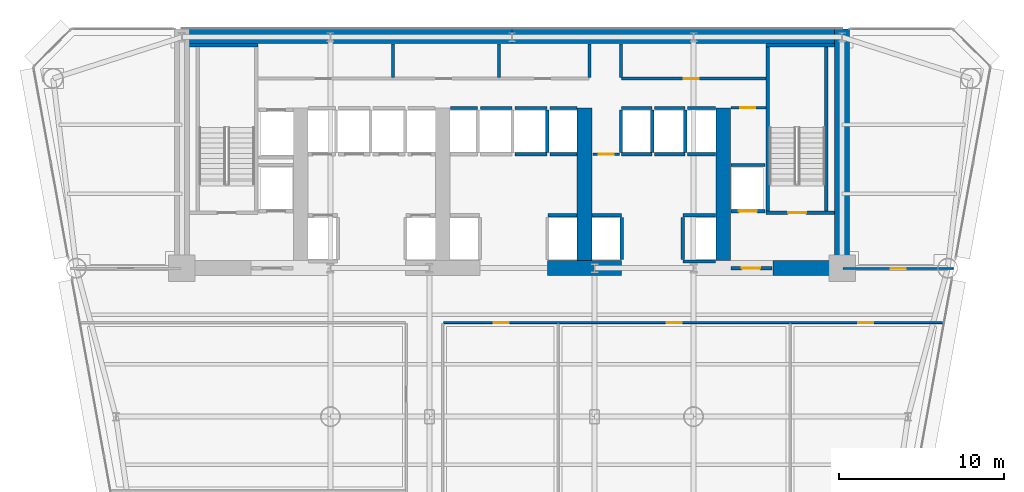
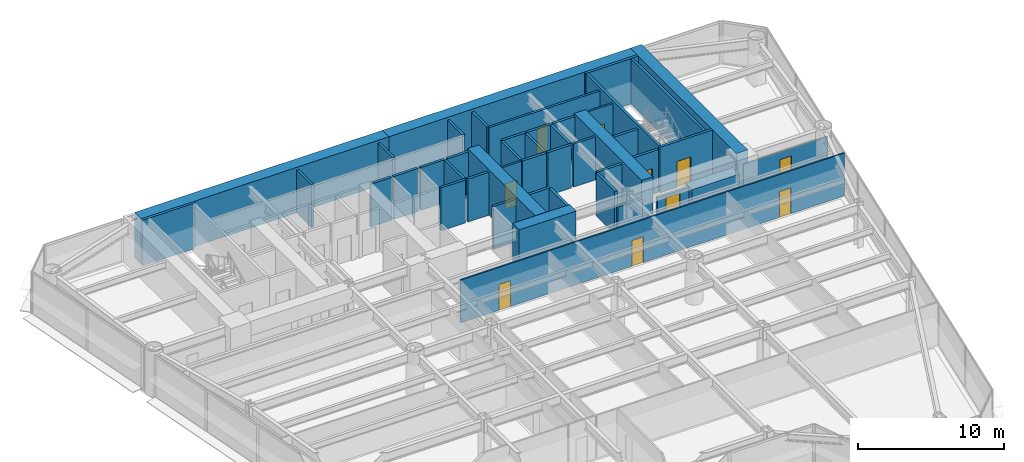
# One storey, part 9 of 14: 46 walls, 10 doors, 10 openings.
"""IFC4 building model written with IfcOpenShell, lengths in metres."""

from ifc_helpers import new_model, si_unit, direction, frame, frame_2d, origin, place, context, subcontext, project, spatial, rectangle, extrude, source, transform, mapped, material, layer, layer_set, type_object, element, fill, save


model = new_model("IFC4")

# Units and contexts
model_context = context("Model", 3, precision=1e-05, world=origin(), true_north=direction((0.0, 1.0)))
body_context = subcontext(model_context, "Body", "Model", "MODEL_VIEW")
ifc_project = project(units=[si_unit("LENGTHUNIT", "METRE"), si_unit("AREAUNIT", "SQUARE_METRE"), si_unit("VOLUMEUNIT", "CUBIC_METRE"), si_unit("PLANEANGLEUNIT", "RADIAN"), si_unit("MASSUNIT", "GRAM", prefix="KILO")], contexts=[model_context])

# Site, building, storey
site_placement = place(None, origin())
site = spatial("IfcSite", under=ifc_project, at=site_placement, CompositionType="ELEMENT")
building_placement = place(site_placement, origin())
building = spatial("IfcBuilding", under=site, at=building_placement, Name="Vaeldorn Concourse Tower", CompositionType="ELEMENT")
storey_placement = place(building_placement, frame((0.0, 0.0, 41.60009765625)))
storey = spatial("IfcBuildingStorey", under=building, at=storey_placement, Name="L10", CompositionType="ELEMENT", Elevation=41.60009765625)

# Walls
ifc_material_1 = material(Name="Concrete C60/75", Category="concrete")
ifc_layer_1 = layer(ifc_material_1, 0.89990234375)
ifc_layer_set_1 = layer_set([ifc_layer_1], Name="Concrete C60/75")
wall_type_1 = type_object("IfcWallType", Name="WL-CORE-900", PredefinedType="SHEAR", material=ifc_layer_set_1)
for number, where, z_axis, x_axis, name in (
    (1, (14.4541015625, 50.550048828125, 0.0), (0.0, 0.0, 1.0), (1.0, 0.0, 0.0), "Rear Core Shear Wall L10 N1"),
    (2, (34.001953125, 50.550048828125, 0.0), (0.0, 0.0, 1.0), (1.0, 0.0, 0.0), "Rear Core Shear Wall L10 N2"),
):
    element("IfcWall", number, at=place(storey_placement, frame(where, z_axis=z_axis, x_axis=x_axis)), inside=storey, type_object=wall_type_1, Name=name, PredefinedType="SHEAR", context=body_context, shape_type="SweptSolid", body=[
        extrude(rectangle(XDim=19.5439453125, YDim=0.89990234375, at=frame_2d((9.77197265625, 0.0))), origin(), (0.0, 0.0, 1.0), 3.7998046875),
    ])
wall_1_placement = place(storey_placement, frame((54.0, 36.5, 0.0), z_axis=(0.0, 0.0, 1.0), x_axis=(0.0, 1.0, 0.0)))
element("IfcWall", 3, at=wall_1_placement, inside=storey, type_object=wall_type_1, Name="Rear Core Shear Wall L10 E1", PredefinedType="SHEAR", context=body_context, shape_type="SweptSolid", body=[
    extrude(rectangle(XDim=14.5, YDim=0.89990234375, at=frame_2d((7.25, 0.0))), origin(), (0.0, 0.0, 1.0), 3.7998046875),
])
wall_2_placement = place(storey_placement, frame((36.14990234375, 36.5, 0.0), z_axis=(0.0, 0.0, 1.0), x_axis=(1.0, 0.0, 0.0)))
element("IfcWall", 4, at=wall_2_placement, inside=storey, type_object=wall_type_1, Name="Rear Core Shear Wall L10 S3", PredefinedType="SHEAR", context=body_context, shape_type="SweptSolid", body=[
    extrude(rectangle(XDim=4.5, YDim=0.89990234375, at=frame_2d((2.25, 0.0))), origin(), (0.0, 0.0, 1.0), 3.7998046875),
])
wall_3_placement = place(storey_placement, frame((49.800048828125, 36.5, 0.0), z_axis=(0.0, 0.0, 1.0), x_axis=(1.0, 0.0, 0.0)))
element("IfcWall", 5, at=wall_3_placement, inside=storey, type_object=wall_type_1, Name="Rear Core Shear Wall L10 S4", PredefinedType="SHEAR", context=body_context, shape_type="SweptSolid", body=[
    extrude(rectangle(XDim=3.72998046875, YDim=0.89990234375, at=frame_2d((1.864990234375, 0.0))), origin(), (0.0, 0.0, 1.0), 2.3798828125),
])
for number, where, z_axis, x_axis, name in (
    (6, (38.39990234375, 36.969970703125, 0.0), (0.0, 0.0, 1.0), (0.0, 1.0, 0.0), "Rear Core Shear Wall L10 M3"),
    (7, (46.800048828125, 36.969970703125, 0.0), (0.0, 0.0, 1.0), (0.0, 1.0, 0.0), "Rear Core Shear Wall L10 M4"),
):
    element("IfcWall", number, at=place(storey_placement, frame(where, z_axis=z_axis, x_axis=x_axis)), inside=storey, type_object=wall_type_1, Name=name, PredefinedType="SHEAR", context=body_context, shape_type="SweptSolid", body=[
        extrude(rectangle(XDim=9.22998046875, YDim=0.89990234375, at=frame_2d((4.614990234375, 0.0))), origin(), (0.0, 0.0, 1.0), 3.7998046875),
    ])

# Wall, openings, doors
ifc_material_2 = material(Name="Gypsum Board Partition", Category="gypsum")
ifc_layer_2 = layer(ifc_material_2, 0.1201171875)
ifc_layer_set_2 = layer_set([ifc_layer_2], Name="Gypsum Board Partition")
wall_type_2 = type_object("IfcWallType", Name="WL-PART-120", PredefinedType="PARTITIONING", material=ifc_layer_set_2)
wall_4_placement = place(storey_placement, frame((29.860107421875, 33.199951171875, 0.0), z_axis=(0.0, 0.0, 1.0), x_axis=(1.0, 0.0, 0.0)))
wall_4 = element("IfcWall", 8, at=wall_4_placement, inside=storey, type_object=wall_type_2, Name="Interior Wall PW-L10-C2SE", PredefinedType="PARTITIONING", context=body_context, shape_type="SweptSolid", body=[
    extrude(rectangle(XDim=30.28076171875, YDim=0.1201171875, at=frame_2d((15.140380859375, 0.0))), origin(), (0.0, 0.0, 1.0), 3.579833984375),
])
opening_1_placement = place(wall_4_placement, frame((3.0400390625, 0.0, 0.0)))
opening_1 = element("IfcOpeningElement", 9, at=opening_1_placement, cuts=wall_4, Name="Opening D-03", PredefinedType="OPENING", context=body_context, shape_type="SweptSolid", body=[
    extrude(rectangle(XDim=0.89990234375, YDim=2.14990234375, at=frame_2d((0.449951171875, 1.074951171875))), frame((0.0, 0.070068359375, 0.0), z_axis=(0.0, -1.0, 0.0), x_axis=(1.0, 0.0, 0.0)), (0.0, 0.0, 1.0), 0.14013671875),
])
opening_2_placement = place(wall_4_placement, frame((13.514892578125, 0.0, 0.0)))
opening_2 = element("IfcOpeningElement", 10, at=opening_2_placement, cuts=wall_4, Name="Opening D-03", PredefinedType="OPENING", context=body_context, shape_type="SweptSolid", body=[
    extrude(rectangle(XDim=0.89990234375, YDim=2.14990234375, at=frame_2d((0.449951171875, 1.074951171875))), frame((0.0, 0.070068359375, 0.0), z_axis=(0.0, -1.0, 0.0), x_axis=(1.0, 0.0, 0.0)), (0.0, 0.0, 1.0), 0.14013671875),
])
opening_3_placement = place(wall_4_placement, frame((25.135009765625, 0.0, 0.0)))
opening_3 = element("IfcOpeningElement", 11, at=opening_3_placement, cuts=wall_4, Name="Opening D-03", PredefinedType="OPENING", context=body_context, shape_type="SweptSolid", body=[
    extrude(rectangle(XDim=0.89990234375, YDim=2.14990234375, at=frame_2d((0.449951171875, 1.074951171875))), frame((0.0, 0.070068359375, 0.0), z_axis=(0.0, -1.0, 0.0), x_axis=(1.0, 0.0, 0.0)), (0.0, 0.0, 1.0), 0.14013671875),
])
ifc_material_3 = material(Name="Acoustic Bronze-Framed Glass Door", Category="glass")
door_type_1 = type_object("IfcDoorType", Name="DR-INT-900", OperationType="NOTDEFINED", PredefinedType="DOOR", material=ifc_material_3)
shared_shape_1 = source(origin(), body_context, "Body", "SweptSolid", [
    extrude(rectangle(XDim=0.89990234375, YDim=2.14990234375, at=frame_2d((0.449951171875, 1.074951171875))), frame((0.0, 0.02490234375, 0.0), z_axis=(0.0, -1.0, 0.0), x_axis=(1.0, 0.0, 0.0)), (0.0, 0.0, 1.0), 0.050048828125),
])
door_1_placement = place(opening_1_placement, origin())
door_1 = element("IfcDoor", 12, at=door_1_placement, inside=storey, type_object=door_type_1, Name="Interior Door DR-L10-Z2E1", OperationType="SINGLE_SWING_RIGHT", OverallHeight=2.14990234375, OverallWidth=0.89990234375, PredefinedType="DOOR", context=body_context, shape_type="MappedRepresentation", body=[
    mapped(shared_shape_1, transform((0.0, 0.0, 0.0), scale=1.0)),
])
fill(opening_1, door_1)
door_2_placement = place(opening_2_placement, origin())
door_2 = element("IfcDoor", 13, at=door_2_placement, inside=storey, type_object=door_type_1, Name="Interior Door DR-L10-Z2E2", OperationType="SINGLE_SWING_LEFT", OverallHeight=2.14990234375, OverallWidth=0.89990234375, PredefinedType="DOOR", context=body_context, shape_type="MappedRepresentation", body=[
    mapped(shared_shape_1, transform((0.0, 0.0, 0.0), scale=1.0)),
])
fill(opening_2, door_2)
door_3_placement = place(opening_3_placement, origin())
door_3 = element("IfcDoor", 14, at=door_3_placement, inside=storey, type_object=door_type_1, Name="Interior Door DR-L10-Z2E3", OperationType="SINGLE_SWING_RIGHT", OverallHeight=2.14990234375, OverallWidth=0.89990234375, PredefinedType="DOOR", context=body_context, shape_type="MappedRepresentation", body=[
    mapped(shared_shape_1, transform((0.0, 0.0, 0.0), scale=1.0)),
])
fill(opening_3, door_3)

# Wall, opening, door
wall_5_placement = place(storey_placement, frame((54.06005859375, 36.47998046875, 0.0), z_axis=(0.0, 0.0, 1.0), x_axis=(1.0, 0.0, 0.0)))
wall_5 = element("IfcWall", 15, at=wall_5_placement, inside=storey, type_object=wall_type_2, Name="Interior Wall PW-L10-NES", PredefinedType="PARTITIONING", context=body_context, shape_type="SweptSolid", body=[
    extrude(rectangle(XDim=6.671875, YDim=0.1201171875, at=frame_2d((3.3359375, 0.0))), origin(), (0.0, 0.0, 1.0), 2.77001953125),
])
opening_4_placement = place(wall_5_placement, frame((2.885986328125, 0.0, 0.0)))
opening_4 = element("IfcOpeningElement", 16, at=opening_4_placement, cuts=wall_5, Name="Opening D-03", PredefinedType="OPENING", context=body_context, shape_type="SweptSolid", body=[
    extrude(rectangle(XDim=0.89990234375, YDim=2.14990234375, at=frame_2d((0.449951171875, 1.074951171875))), frame((0.0, 0.070068359375, 0.0), z_axis=(0.0, -1.0, 0.0), x_axis=(1.0, 0.0, 0.0)), (0.0, 0.0, 1.0), 0.14013671875),
])
door_4_placement = place(opening_4_placement, origin())
door_4 = element("IfcDoor", 17, at=door_4_placement, inside=storey, type_object=door_type_1, Name="Interior Door DR-L10-NEC", OperationType="SINGLE_SWING_RIGHT", OverallHeight=2.14990234375, OverallWidth=0.89990234375, PredefinedType="DOOR", context=body_context, shape_type="MappedRepresentation", body=[
    mapped(shared_shape_1, transform((0.0, 0.0, 0.0), scale=1.0)),
])
fill(opening_4, door_4)

ifc_layer_3 = layer(ifc_material_2, 0.14990234375)
ifc_layer_set_3 = layer_set([ifc_layer_3], Name="Gypsum Board Partition")
wall_type_3 = type_object("IfcWallType", Name="WL-PART-150", PredefinedType="PARTITIONING", material=ifc_layer_set_3)
wall_6_placement = place(storey_placement, frame((47.280029296875, 46.219970703125, 0.0), z_axis=(0.0, 0.0, 1.0), x_axis=(1.0, 0.0, 0.0)))
wall_6 = element("IfcWall", 18, at=wall_6_placement, inside=storey, type_object=wall_type_3, Name="Interior Wall CW-L10-CRSE-N", PredefinedType="PARTITIONING", context=body_context, shape_type="SweptSolid", body=[
    extrude(rectangle(XDim=2.099853515625, YDim=0.14990234375, at=frame_2d((1.0498046875, 0.0))), origin(), (0.0, 0.0, 1.0), 3.579833984375),
])
opening_5_placement = place(wall_6_placement, frame((0.550048828125, 0.0, 0.0)))
opening_5 = element("IfcOpeningElement", 19, at=opening_5_placement, cuts=wall_6, Name="Opening D-02", PredefinedType="OPENING", context=body_context, shape_type="SweptSolid", body=[
    extrude(rectangle(XDim=0.89990234375, YDim=2.10009765625, at=frame_2d((0.449951171875, 1.050048828125))), frame((0.0, 0.0849609375, 0.0), z_axis=(0.0, -1.0, 0.0), x_axis=(1.0, 0.0, 0.0)), (0.0, 0.0, 1.0), 0.169921875),
])
ifc_material_4 = material(Name="Fire-Rated Timber Leaf", Category="wood")
door_type_2 = type_object("IfcDoorType", Name="DR-FD30-900", OperationType="NOTDEFINED", PredefinedType="DOOR", material=ifc_material_4)
shared_shape_2 = source(origin(), body_context, "Body", "SweptSolid", [
    extrude(rectangle(XDim=0.89990234375, YDim=2.10009765625, at=frame_2d((0.449951171875, 1.050048828125))), frame((0.0, 0.02490234375, 0.0), z_axis=(0.0, -1.0, 0.0), x_axis=(1.0, 0.0, 0.0)), (0.0, 0.0, 1.0), 0.050048828125),
])
door_5_placement = place(opening_5_placement, origin())
door_5 = element("IfcDoor", 20, at=door_5_placement, inside=storey, type_object=door_type_2, Name="Interior Door DR-L10-CRSE", OperationType="SINGLE_SWING_RIGHT", OverallHeight=2.10009765625, OverallWidth=0.89990234375, PredefinedType="DOOR", context=body_context, shape_type="MappedRepresentation", body=[
    mapped(shared_shape_2, transform((0.0, 0.0, 0.0), scale=1.0)),
])
fill(opening_5, door_5)

wall_7_placement = place(storey_placement, frame((38.919921875, 43.39990234375, 0.0), z_axis=(0.0, 0.0, 1.0), x_axis=(1.0, 0.0, 0.0)))
wall_7 = element("IfcWall", 21, at=wall_7_placement, inside=storey, type_object=wall_type_3, Name="Interior Wall CW-L10-CCLINK", PredefinedType="PARTITIONING", context=body_context, shape_type="SweptSolid", body=[
    extrude(rectangle(XDim=1.60009765625, YDim=0.14990234375, at=frame_2d((0.800048828125, 0.0))), origin(), (0.0, 0.0, 1.0), 3.579833984375),
])
opening_6_placement = place(wall_7_placement, frame((0.35009765625, 0.0, 0.0)))
opening_6 = element("IfcOpeningElement", 22, at=opening_6_placement, cuts=wall_7, Name="Opening D-02", PredefinedType="OPENING", context=body_context, shape_type="SweptSolid", body=[
    extrude(rectangle(XDim=0.89990234375, YDim=2.10009765625, at=frame_2d((0.449951171875, 1.050048828125))), frame((0.0, 0.0849609375, 0.0), z_axis=(0.0, -1.0, 0.0), x_axis=(1.0, 0.0, 0.0)), (0.0, 0.0, 1.0), 0.169921875),
])
door_6_placement = place(opening_6_placement, origin())
door_6 = element("IfcDoor", 23, at=door_6_placement, inside=storey, type_object=door_type_2, Name="Interior Door DR-L10-CCLINK", OperationType="SINGLE_SWING_LEFT", OverallHeight=2.10009765625, OverallWidth=0.89990234375, PredefinedType="DOOR", context=body_context, shape_type="MappedRepresentation", body=[
    mapped(shared_shape_2, transform((0.0, 0.0, 0.0), scale=1.0)),
])
fill(opening_6, door_6)

ifc_layer_4 = layer(ifc_material_2, 0.179931640625)
ifc_layer_set_4 = layer_set([ifc_layer_4], Name="Gypsum Board Partition")
wall_type_4 = type_object("IfcWallType", Name="WL-PLUMB-180", PredefinedType="PLUMBINGWALL", material=ifc_layer_set_4)
wall_8_placement = place(storey_placement, frame((40.6201171875, 47.97998046875, 0.0), z_axis=(0.0, 0.0, 1.0), x_axis=(1.0, 0.0, 0.0)))
wall_8 = element("IfcWall", 24, at=wall_8_placement, inside=storey, type_object=wall_type_4, Name="Interior Wall CW-L10-NS1E", PredefinedType="PLUMBINGWALL", context=body_context, shape_type="SweptSolid", body=[
    extrude(rectangle(XDim=8.759765625, YDim=0.179931640625, at=frame_2d((4.3798828125, 0.0))), origin(), (0.0, 0.0, 1.0), 3.579833984375),
])
opening_7_placement = place(wall_8_placement, frame((3.800048828125, 0.0, 0.0)))
opening_7 = element("IfcOpeningElement", 25, at=opening_7_placement, cuts=wall_8, Name="Opening D-03", PredefinedType="OPENING", context=body_context, shape_type="SweptSolid", body=[
    extrude(rectangle(XDim=0.89990234375, YDim=2.14990234375, at=frame_2d((0.449951171875, 1.074951171875))), frame((0.0, 0.10009765625, 0.0), z_axis=(0.0, -1.0, 0.0), x_axis=(1.0, 0.0, 0.0)), (0.0, 0.0, 1.0), 0.199951171875),
])
door_7_placement = place(opening_7_placement, origin())
door_7 = element("IfcDoor", 26, at=door_7_placement, inside=storey, type_object=door_type_1, Name="Interior Door DR-L10-CS4", OperationType="SINGLE_SWING_RIGHT", OverallHeight=2.14990234375, OverallWidth=0.89990234375, PredefinedType="DOOR", context=body_context, shape_type="MappedRepresentation", body=[
    mapped(shared_shape_1, transform((0.0, 0.0, 0.0), scale=1.0)),
])
fill(opening_7, door_7)

# Walls
for number, where, z_axis, x_axis, name in (
    (27, (26.800048828125, 48.06005859375, 0.0), (0.0, 0.0, 1.0), (0.0, 1.0, 0.0), "Interior Wall CW-L10-NDIV1"),
    (28, (33.199951171875, 48.06005859375, 0.0), (0.0, 0.0, 1.0), (0.0, 1.0, 0.0), "Interior Wall CW-L10-NDIV2"),
    (29, (38.699951171875, 48.06005859375, 0.0), (0.0, 0.0, 1.0), (0.0, 1.0, 0.0), "Interior Wall CW-L10-NDIV3"),
    (30, (40.60009765625, 48.06005859375, 0.0), (0.0, 0.0, 1.0), (0.0, 1.0, 0.0), "Interior Wall CW-L10-NDIV4"),
):
    element("IfcWall", number, at=place(storey_placement, frame(where, z_axis=z_axis, x_axis=x_axis)), inside=storey, type_object=wall_type_4, Name=name, PredefinedType="PLUMBINGWALL", context=body_context, shape_type="SweptSolid", body=[
        extrude(rectangle(XDim=2.02001953125, YDim=0.179931640625, at=frame_2d((1.010009765625, 0.0))), origin(), (0.0, 0.0, 1.0), 3.579833984375),
    ])
ifc_material_5 = material(Name="Concrete C50/60", Category="concrete")
ifc_layer_5 = layer(ifc_material_5, 0.199951171875)
ifc_layer_set_5 = layer_set([ifc_layer_5], Name="Concrete C50/60")
wall_type_5 = type_object("IfcWallType", Name="WL-SHAFT-200", PredefinedType="SOLIDWALL", material=ifc_layer_set_5)
wall_9_placement = place(storey_placement, frame((14.449951171875, 50.0, 0.0), z_axis=(0.0, 0.0, 1.0), x_axis=(1.0, 0.0, 0.0)))
element("IfcWall", 31, at=wall_9_placement, inside=storey, type_object=wall_type_5, Name="Stair Shaft Wall CW-L10-ST-1-N", PredefinedType="SOLIDWALL", context=body_context, shape_type="SweptSolid", body=[
    extrude(rectangle(XDim=4.150146484375, YDim=0.199951171875, at=frame_2d((2.0751953125, 0.0))), origin(), (0.0, 0.0, 1.0), 3.7998046875),
])

# Wall, opening, door
wall_10_placement = place(storey_placement, frame((49.39990234375, 39.85009765625, 0.0), z_axis=(0.0, 0.0, 1.0), x_axis=(1.0, 0.0, 0.0)))
wall_10 = element("IfcWall", 32, at=wall_10_placement, inside=storey, type_object=wall_type_5, Name="Stair Shaft Wall CW-L10-ST-2-S", PredefinedType="SOLIDWALL", context=body_context, shape_type="SweptSolid", body=[
    extrude(rectangle(XDim=4.150146484375, YDim=0.199951171875, at=frame_2d((2.0751953125, 0.0))), origin(), (0.0, 0.0, 1.0), 3.7998046875),
])
opening_8_placement = place(wall_10_placement, frame((1.324951171875, 0.0, 0.0)))
opening_8 = element("IfcOpeningElement", 33, at=opening_8_placement, cuts=wall_10, Name="Opening D-01", PredefinedType="OPENING", context=body_context, shape_type="SweptSolid", body=[
    extrude(rectangle(XDim=1.10009765625, YDim=2.14990234375, at=frame_2d((0.550048828125, 1.074951171875))), frame((0.0, 0.10986328125, 0.0), z_axis=(0.0, -1.0, 0.0), x_axis=(1.0, 0.0, 0.0)), (0.0, 0.0, 1.0), 0.219970703125),
])
ifc_material_6 = material(Name="Fire-Rated Timber and Steel Leaf", Category="steel")
door_type_3 = type_object("IfcDoorType", Name="DR-FD60-1100", OperationType="NOTDEFINED", PredefinedType="DOOR", material=ifc_material_6)
shared_shape_3 = source(origin(), body_context, "Body", "SweptSolid", [
    extrude(rectangle(XDim=1.10009765625, YDim=2.14990234375, at=frame_2d((0.550048828125, 1.074951171875))), frame((0.0, 0.02490234375, 0.0), z_axis=(0.0, -1.0, 0.0), x_axis=(1.0, 0.0, 0.0)), (0.0, 0.0, 1.0), 0.050048828125),
])
door_8_placement = place(opening_8_placement, origin())
door_8 = element("IfcDoor", 34, at=door_8_placement, inside=storey, type_object=door_type_3, Name="Interior Door DR-L10-ST-2", OperationType="SINGLE_SWING_RIGHT", OverallHeight=2.14990234375, OverallWidth=1.10009765625, PredefinedType="DOOR", context=body_context, shape_type="MappedRepresentation", body=[
    mapped(shared_shape_3, transform((0.0, 0.0, 0.0), scale=1.0)),
])
fill(opening_8, door_8)

# Walls
wall_11_placement = place(storey_placement, frame((49.39990234375, 50.0, 0.0), z_axis=(0.0, 0.0, 1.0), x_axis=(1.0, 0.0, 0.0)))
element("IfcWall", 35, at=wall_11_placement, inside=storey, type_object=wall_type_5, Name="Stair Shaft Wall CW-L10-ST-2-N", PredefinedType="SOLIDWALL", context=body_context, shape_type="SweptSolid", body=[
    extrude(rectangle(XDim=4.150146484375, YDim=0.199951171875, at=frame_2d((2.0751953125, 0.0))), origin(), (0.0, 0.0, 1.0), 3.7998046875),
])
for number, where, z_axis, x_axis, name in (
    (36, (49.5, 39.9599609375, 0.0), (0.0, 0.0, 1.0), (0.0, 1.0, 0.0), "Stair Shaft Wall CW-L10-ST-2-W"),
    (37, (53.050048828125, 39.9599609375, 0.0), (0.0, 0.0, 1.0), (0.0, 1.0, 0.0), "Stair Shaft Wall CW-L10-ST-2-E"),
):
    element("IfcWall", number, at=place(storey_placement, frame(where, z_axis=z_axis, x_axis=x_axis)), inside=storey, type_object=wall_type_5, Name=name, PredefinedType="SOLIDWALL", context=body_context, shape_type="SweptSolid", body=[
        extrude(rectangle(XDim=9.929931640625, YDim=0.199951171875, at=frame_2d((4.96484375, 0.0))), origin(), (0.0, 0.0, 1.0), 3.7998046875),
    ])

# Wall, opening, door
wall_12_placement = place(storey_placement, frame((47.280029296875, 36.5, 0.0), z_axis=(0.0, 0.0, 1.0), x_axis=(1.0, 0.0, 0.0)))
wall_12 = element("IfcWall", 38, at=wall_12_placement, inside=storey, type_object=wall_type_5, Name="Interior Wall CW-L10-FF2S", PredefinedType="SOLIDWALL", context=body_context, shape_type="SweptSolid", body=[
    extrude(rectangle(XDim=2.469970703125, YDim=0.199951171875, at=frame_2d((1.23486328125, 0.0))), origin(), (0.0, 0.0, 1.0), 2.369873046875),
])
opening_9_placement = place(wall_12_placement, frame((0.64990234375, 0.0, 0.0)))
opening_9 = element("IfcOpeningElement", 39, at=opening_9_placement, cuts=wall_12, Name="Opening D-01", PredefinedType="OPENING", context=body_context, shape_type="SweptSolid", body=[
    extrude(rectangle(XDim=1.10009765625, YDim=2.14990234375, at=frame_2d((0.550048828125, 1.074951171875))), frame((0.0, 0.10986328125, 0.0), z_axis=(0.0, -1.0, 0.0), x_axis=(1.0, 0.0, 0.0)), (0.0, 0.0, 1.0), 0.219970703125),
])
door_9_placement = place(opening_9_placement, origin())
door_9 = element("IfcDoor", 40, at=door_9_placement, inside=storey, type_object=door_type_3, Name="Interior Door DR-L10-FF2W", OperationType="SINGLE_SWING_LEFT", OverallHeight=2.14990234375, OverallWidth=1.10009765625, PredefinedType="DOOR", context=body_context, shape_type="MappedRepresentation", body=[
    mapped(shared_shape_3, transform((0.0, 0.0, 0.0), scale=1.0)),
])
fill(opening_9, door_9)

# Walls
wall_13_placement = place(storey_placement, frame((36.169921875, 39.699951171875, 0.0), z_axis=(0.0, 0.0, 1.0), x_axis=(1.0, 0.0, 0.0)))
element("IfcWall", 41, at=wall_13_placement, inside=storey, type_object=wall_type_5, Name="Interior Wall CW-L10-LF-LF-08", PredefinedType="SOLIDWALL", context=body_context, shape_type="SweptSolid", body=[
    extrude(rectangle(XDim=1.77001953125, YDim=0.199951171875, at=frame_2d((0.885009765625, 0.0))), origin(), (0.0, 0.0, 1.0), 3.579833984375),
])
wall_14_placement = place(storey_placement, frame((30.260009765625, 46.199951171875, 0.0), z_axis=(0.0, 0.0, 1.0), x_axis=(1.0, 0.0, 0.0)))
element("IfcWall", 42, at=wall_14_placement, inside=storey, type_object=wall_type_5, Name="Interior Wall CW-L10-LFB-LF-09", PredefinedType="SOLIDWALL", context=body_context, shape_type="SweptSolid", body=[
    extrude(rectangle(XDim=1.64990234375, YDim=0.199951171875, at=frame_2d((0.824951171875, 0.0))), origin(), (0.0, 0.0, 1.0), 3.579833984375),
])
wall_15_placement = place(storey_placement, frame((32.090087890625, 46.199951171875, 0.0), z_axis=(0.0, 0.0, 1.0), x_axis=(1.0, 0.0, 0.0)))
element("IfcWall", 43, at=wall_15_placement, inside=storey, type_object=wall_type_5, Name="Interior Wall CW-L10-LFB-LF-10", PredefinedType="SOLIDWALL", context=body_context, shape_type="SweptSolid", body=[
    extrude(rectangle(XDim=1.919921875, YDim=0.199951171875, at=frame_2d((0.9599609375, 0.0))), origin(), (0.0, 0.0, 1.0), 3.579833984375),
])
for number, where, z_axis, x_axis, name in (
    (44, (34.18994140625, 43.39990234375, 0.0), (0.0, 0.0, 1.0), (1.0, 0.0, 0.0), "Interior Wall CW-L10-LF-LF-11"),
    (45, (34.18994140625, 46.199951171875, 0.0), (0.0, 0.0, 1.0), (1.0, 0.0, 0.0), "Interior Wall CW-L10-LFB-LF-11"),
):
    element("IfcWall", number, at=place(storey_placement, frame(where, z_axis=z_axis, x_axis=x_axis)), inside=storey, type_object=wall_type_5, Name=name, PredefinedType="SOLIDWALL", context=body_context, shape_type="SweptSolid", body=[
        extrude(rectangle(XDim=1.920166015625, YDim=0.199951171875, at=frame_2d((0.9599609375, 0.0))), origin(), (0.0, 0.0, 1.0), 3.579833984375),
    ])
wall_16_placement = place(storey_placement, frame((36.1298828125, 43.52001953125, 0.0), z_axis=(0.0, 0.0, 1.0), x_axis=(0.0, 1.0, 0.0)))
element("IfcWall", 46, at=wall_16_placement, inside=storey, type_object=wall_type_5, Name="Interior Wall CW-L10-LFE-LF-11", PredefinedType="SOLIDWALL", context=body_context, shape_type="SweptSolid", body=[
    extrude(rectangle(XDim=2.56005859375, YDim=0.199951171875, at=frame_2d((1.280029296875, 0.0))), origin(), (0.0, 0.0, 1.0), 3.579833984375),
])
for number, where, z_axis, x_axis, name in (
    (47, (36.2900390625, 43.39990234375, 0.0), (0.0, 0.0, 1.0), (1.0, 0.0, 0.0), "Interior Wall CW-L10-LF-LF-12"),
    (48, (36.2900390625, 46.199951171875, 0.0), (0.0, 0.0, 1.0), (1.0, 0.0, 0.0), "Interior Wall CW-L10-LFB-LF-12"),
):
    element("IfcWall", number, at=place(storey_placement, frame(where, z_axis=z_axis, x_axis=x_axis)), inside=storey, type_object=wall_type_5, Name=name, PredefinedType="SOLIDWALL", context=body_context, shape_type="SweptSolid", body=[
        extrude(rectangle(XDim=1.64990234375, YDim=0.199951171875, at=frame_2d((0.824951171875, 0.0))), origin(), (0.0, 0.0, 1.0), 3.579833984375),
    ])
wall_17_placement = place(storey_placement, frame((38.860107421875, 39.699951171875, 0.0), z_axis=(0.0, 0.0, 1.0), x_axis=(1.0, 0.0, 0.0)))
element("IfcWall", 49, at=wall_17_placement, inside=storey, type_object=wall_type_5, Name="Interior Wall CW-L10-LF-LF-13", PredefinedType="SOLIDWALL", context=body_context, shape_type="SweptSolid", body=[
    extrude(rectangle(XDim=1.769775390625, YDim=0.199951171875, at=frame_2d((0.884765625, 0.0))), origin(), (0.0, 0.0, 1.0), 3.579833984375),
])
wall_18_placement = place(storey_placement, frame((40.64990234375, 37.02001953125, 0.0), z_axis=(0.0, 0.0, 1.0), x_axis=(0.0, 1.0, 0.0)))
element("IfcWall", 50, at=wall_18_placement, inside=storey, type_object=wall_type_5, Name="Interior Wall CW-L10-LFE-LF-13", PredefinedType="SOLIDWALL", context=body_context, shape_type="SweptSolid", body=[
    extrude(rectangle(XDim=2.56005859375, YDim=0.199951171875, at=frame_2d((1.280029296875, 0.0))), origin(), (0.0, 0.0, 1.0), 3.579833984375),
])
wall_19_placement = place(storey_placement, frame((44.3701171875, 39.699951171875, 0.0), z_axis=(0.0, 0.0, 1.0), x_axis=(1.0, 0.0, 0.0)))
element("IfcWall", 51, at=wall_19_placement, inside=storey, type_object=wall_type_5, Name="Interior Wall CW-L10-LF-LF-14", PredefinedType="SOLIDWALL", context=body_context, shape_type="SweptSolid", body=[
    extrude(rectangle(XDim=1.9599609375, YDim=0.199951171875, at=frame_2d((0.97998046875, 0.0))), origin(), (0.0, 0.0, 1.0), 3.579833984375),
])
wall_20_placement = place(storey_placement, frame((44.3701171875, 36.89990234375, 0.0), z_axis=(0.0, 0.0, 1.0), x_axis=(1.0, 0.0, 0.0)))
element("IfcWall", 52, at=wall_20_placement, inside=storey, type_object=wall_type_5, Name="Interior Wall CW-L10-LFB-LF-14", PredefinedType="SOLIDWALL", context=body_context, shape_type="SweptSolid", body=[
    extrude(rectangle(XDim=1.9599609375, YDim=0.199951171875, at=frame_2d((0.97998046875, 0.0))), origin(), (0.0, 0.0, 1.0), 2.369873046875),
])
wall_21_placement = place(storey_placement, frame((44.35009765625, 37.02001953125, 0.0), z_axis=(0.0, 0.0, 1.0), x_axis=(0.0, 1.0, 0.0)))
element("IfcWall", 53, at=wall_21_placement, inside=storey, type_object=wall_type_5, Name="Interior Wall CW-L10-LFW-LF-14", PredefinedType="SOLIDWALL", context=body_context, shape_type="SweptSolid", body=[
    extrude(rectangle(XDim=2.56005859375, YDim=0.199951171875, at=frame_2d((1.280029296875, 0.0))), origin(), (0.0, 0.0, 1.0), 3.579833984375),
])
for number, where, z_axis, x_axis, name in (
    (54, (40.6201171875, 43.39990234375, 0.0), (0.0, 0.0, 1.0), (1.0, 0.0, 0.0), "Interior Wall CW-L10-LF-LF-15"),
    (55, (40.6201171875, 46.199951171875, 0.0), (0.0, 0.0, 1.0), (1.0, 0.0, 0.0), "Interior Wall CW-L10-LFB-LF-15"),
):
    element("IfcWall", number, at=place(storey_placement, frame(where, z_axis=z_axis, x_axis=x_axis)), inside=storey, type_object=wall_type_5, Name=name, PredefinedType="SOLIDWALL", context=body_context, shape_type="SweptSolid", body=[
        extrude(rectangle(XDim=1.85986328125, YDim=0.199951171875, at=frame_2d((0.929931640625, 0.0))), origin(), (0.0, 0.0, 1.0), 3.579833984375),
    ])
for number, where, z_axis, x_axis, name in (
    (56, (40.60009765625, 43.52001953125, 0.0), (0.0, 0.0, 1.0), (0.0, 1.0, 0.0), "Interior Wall CW-L10-LFW-LF-15"),
    (57, (42.5, 43.52001953125, 0.0), (0.0, 0.0, 1.0), (0.0, 1.0, 0.0), "Interior Wall CW-L10-LFE-LF-15"),
):
    element("IfcWall", number, at=place(storey_placement, frame(where, z_axis=z_axis, x_axis=x_axis)), inside=storey, type_object=wall_type_5, Name=name, PredefinedType="SOLIDWALL", context=body_context, shape_type="SweptSolid", body=[
        extrude(rectangle(XDim=2.56005859375, YDim=0.199951171875, at=frame_2d((1.280029296875, 0.0))), origin(), (0.0, 0.0, 1.0), 3.579833984375),
    ])
for number, where, z_axis, x_axis, name in (
    (58, (42.6201171875, 43.39990234375, 0.0), (0.0, 0.0, 1.0), (1.0, 0.0, 0.0), "Interior Wall CW-L10-LF-LF-16"),
    (59, (42.6201171875, 46.199951171875, 0.0), (0.0, 0.0, 1.0), (1.0, 0.0, 0.0), "Interior Wall CW-L10-LFB-LF-16"),
):
    element("IfcWall", number, at=place(storey_placement, frame(where, z_axis=z_axis, x_axis=x_axis)), inside=storey, type_object=wall_type_5, Name=name, PredefinedType="SOLIDWALL", context=body_context, shape_type="SweptSolid", body=[
        extrude(rectangle(XDim=1.85986328125, YDim=0.199951171875, at=frame_2d((0.929931640625, 0.0))), origin(), (0.0, 0.0, 1.0), 3.579833984375),
    ])
wall_22_placement = place(storey_placement, frame((44.5, 43.52001953125, 0.0), z_axis=(0.0, 0.0, 1.0), x_axis=(0.0, 1.0, 0.0)))
element("IfcWall", 60, at=wall_22_placement, inside=storey, type_object=wall_type_5, Name="Interior Wall CW-L10-LFE-LF-16", PredefinedType="SOLIDWALL", context=body_context, shape_type="SweptSolid", body=[
    extrude(rectangle(XDim=2.56005859375, YDim=0.199951171875, at=frame_2d((1.280029296875, 0.0))), origin(), (0.0, 0.0, 1.0), 3.579833984375),
])
for number, where, z_axis, x_axis, name in (
    (61, (44.6201171875, 43.39990234375, 0.0), (0.0, 0.0, 1.0), (1.0, 0.0, 0.0), "Interior Wall CW-L10-LF-LF-17"),
    (62, (44.6201171875, 46.199951171875, 0.0), (0.0, 0.0, 1.0), (1.0, 0.0, 0.0), "Interior Wall CW-L10-LFB-LF-17"),
):
    element("IfcWall", number, at=place(storey_placement, frame(where, z_axis=z_axis, x_axis=x_axis)), inside=storey, type_object=wall_type_5, Name=name, PredefinedType="SOLIDWALL", context=body_context, shape_type="SweptSolid", body=[
        extrude(rectangle(XDim=1.719970703125, YDim=0.199951171875, at=frame_2d((0.85986328125, 0.0))), origin(), (0.0, 0.0, 1.0), 3.579833984375),
    ])

# Wall, opening, door
wall_23_placement = place(storey_placement, frame((47.260009765625, 39.949951171875, 0.0), z_axis=(0.0, 0.0, 1.0), x_axis=(1.0, 0.0, 0.0)))
wall_23 = element("IfcWall", 63, at=wall_23_placement, inside=storey, type_object=wall_type_5, Name="Interior Wall CW-L10-LF-LF-FF2", PredefinedType="SOLIDWALL", context=body_context, shape_type="SweptSolid", body=[
    extrude(rectangle(XDim=2.070068359375, YDim=0.199951171875, at=frame_2d((1.03515625, 0.0))), origin(), (0.0, 0.0, 1.0), 3.579833984375),
])
opening_10_placement = place(wall_23_placement, frame((0.485107421875, 0.0, 0.0)))
opening_10 = element("IfcOpeningElement", 64, at=opening_10_placement, cuts=wall_23, Name="Opening LD-1", PredefinedType="OPENING", context=body_context, shape_type="SweptSolid", body=[
    extrude(rectangle(XDim=1.10009765625, YDim=2.14990234375, at=frame_2d((0.550048828125, 1.074951171875))), frame((0.0, 0.10986328125, 0.0), z_axis=(0.0, -1.0, 0.0), x_axis=(1.0, 0.0, 0.0)), (0.0, 0.0, 1.0), 0.219970703125),
])
ifc_material_7 = material(Name="Anodised Bronze Aluminium", Category="aluminium")
door_type_4 = type_object("IfcDoorType", Name="DR-LIFT-SLIDE-1100", OperationType="DOUBLE_DOOR_SLIDING", PredefinedType="DOOR", material=ifc_material_7)
door_10_placement = place(opening_10_placement, origin())
door_10 = element("IfcDoor", 65, at=door_10_placement, inside=storey, type_object=door_type_4, Name="Lift Landing Door LD-L10-LF-FF2", OperationType="DOUBLE_DOOR_SLIDING", OverallHeight=2.14990234375, OverallWidth=1.10009765625, PredefinedType="DOOR", context=body_context, shape_type="MappedRepresentation", body=[
    mapped(shared_shape_3, transform((0.0, 0.0, 0.0), scale=1.0)),
])
fill(opening_10, door_10)

# Wall
wall_24_placement = place(storey_placement, frame((47.260009765625, 42.75, 0.0), z_axis=(0.0, 0.0, 1.0), x_axis=(1.0, 0.0, 0.0)))
element("IfcWall", 66, at=wall_24_placement, inside=storey, type_object=wall_type_5, Name="Interior Wall CW-L10-LFB-LF-FF2", PredefinedType="SOLIDWALL", context=body_context, shape_type="SweptSolid", body=[
    extrude(rectangle(XDim=2.070068359375, YDim=0.199951171875, at=frame_2d((1.03515625, 0.0))), origin(), (0.0, 0.0, 1.0), 3.579833984375),
])

save(model, "model.ifc")
